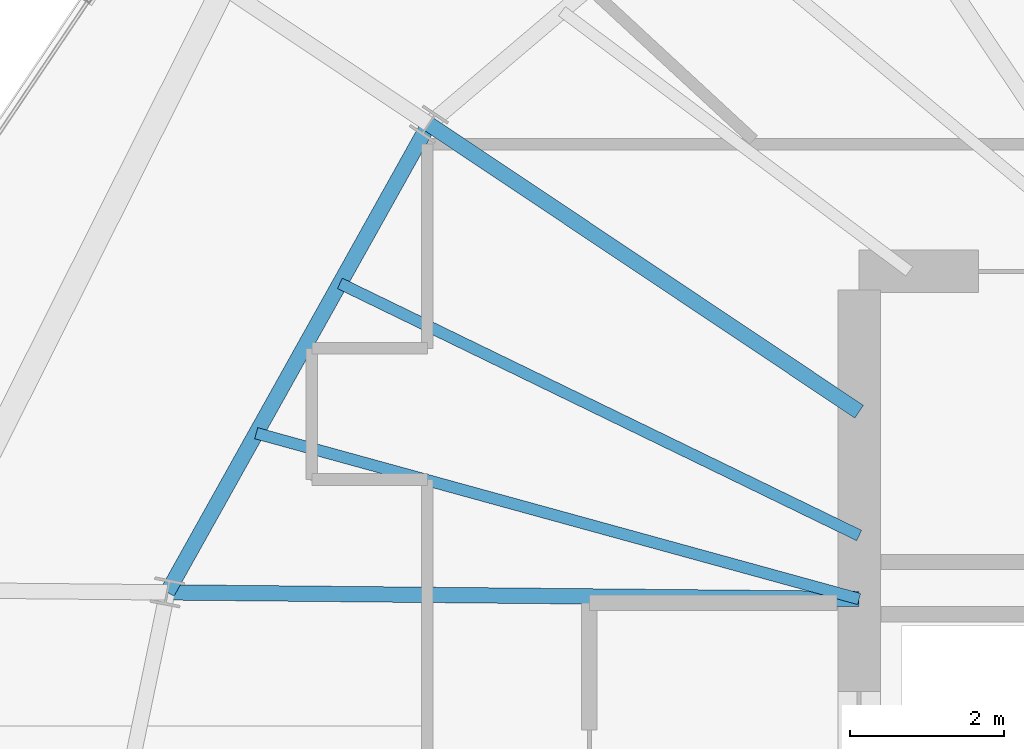
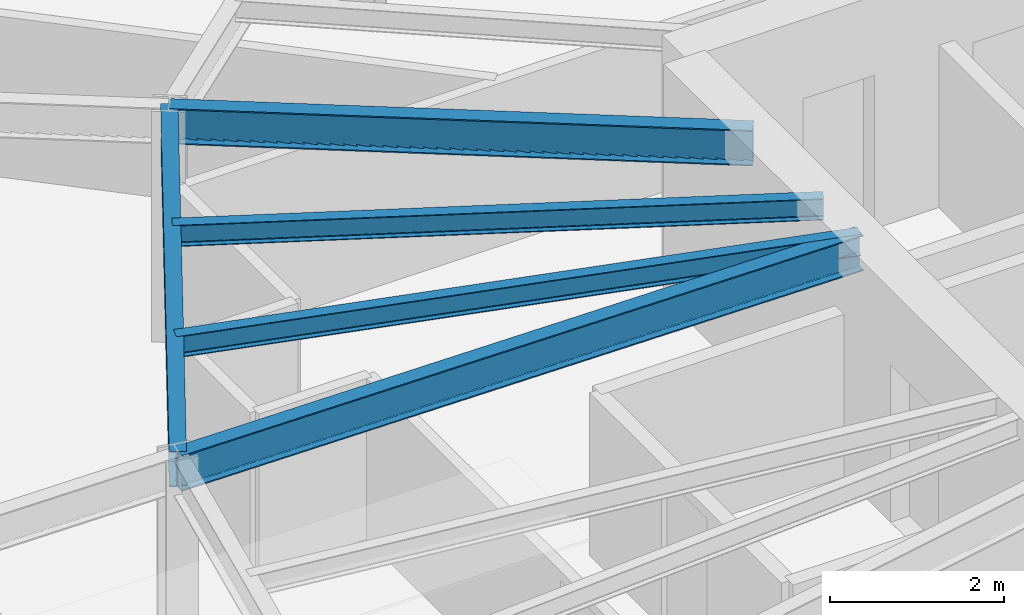
# One storey, part 12 of 36: 5 beams.
"""IFC4 building model written with IfcOpenShell, lengths in metres."""

import ifcopenshell
import ifcopenshell.guid

model = None  # the IFC model being written
_history = None  # IfcOwnerHistory: only IFC2X3 demands one
_inside = {}  # id of a spatial element -> (the spatial element, [elements in it])
_under = {}  # id of a project, library or spatial element -> (it, [spatial elements below it])
_declared = {}  # id of a project -> (the project, [libraries it declares])
_typed = {}  # id of a type object -> (the type object, [elements of that type])
_made_of = {}  # id of a material, layer set ... -> (it, [elements and type objects made of it])


def new_model(schema):
    """Start an empty IFC model of exactly this schema.

    Asked for "IFC4X3", IfcOpenShell would pick the latest addendum, in which some entities
    have other attributes; the version numbers below select the first issue.
    IFC2X3 requires an IfcOwnerHistory on every rooted entity: one is made here for all.
    """
    global model, _history
    if schema == "IFC4X3":
        model = ifcopenshell.file(schema_version=(4, 3, 0, 0))
    else:
        model = ifcopenshell.file(schema=schema)
    _inside.clear()
    _under.clear()
    _declared.clear()
    _typed.clear()
    _made_of.clear()
    _history = None
    if model.schema == "IFC2X3":
        org = make("IfcOrganization", Name="unknown")
        user = make(
            "IfcPersonAndOrganization",
            ThePerson=make("IfcPerson", FamilyName="unknown"),
            TheOrganization=org,
        )
        app = make(
            "IfcApplication",
            ApplicationDeveloper=org,
            Version="unknown",
            ApplicationFullName="unknown",
            ApplicationIdentifier="unknown",
        )
        _history = make(
            "IfcOwnerHistory",
            OwningUser=user,
            OwningApplication=app,
            ChangeAction="ADDED",
            CreationDate=0,
        )
    return model


def make(cls, **values):
    """One entity of the class cls with the attributes given. An attribute that is None is left unset."""
    return model.create_entity(
        cls, **{name: value for name, value in values.items() if value is not None}
    )


def rooted(cls, **values):
    """An entity with a GlobalId (a new one), such as an element, a storey or a relation."""
    return make(cls, GlobalId=ifcopenshell.guid.new(), OwnerHistory=_history, **values)


def si_unit(unit_type, name, prefix=None):
    """IfcSIUnit, for example si_unit("LENGTHUNIT", "METRE", prefix="MILLI")."""
    return make("IfcSIUnit", UnitType=unit_type, Prefix=prefix, Name=name)


def assignment(units):
    """IfcUnitAssignment: the units of a project."""
    return None if units is None else make("IfcUnitAssignment", Units=units)


def point(xyz):
    """IfcCartesianPoint."""
    return None if xyz is None else make("IfcCartesianPoint", Coordinates=xyz)


def direction(xyz):
    """IfcDirection."""
    return None if xyz is None else make("IfcDirection", DirectionRatios=xyz)


def frame(location, z_axis=None, x_axis=None):
    """IfcAxis2Placement3D, a coordinate frame: its origin and axes. An axis left out is left unset."""
    return make(
        "IfcAxis2Placement3D",
        Location=point(location),
        Axis=direction(z_axis),
        RefDirection=direction(x_axis),
    )


def frame_2d(location, x_axis=None):
    """IfcAxis2Placement2D, a coordinate frame in the plane: its origin and x axis."""
    return make(
        "IfcAxis2Placement2D", Location=point(location), RefDirection=direction(x_axis)
    )


def origin():
    """The frame at (0, 0, 0) with its axes left unset."""
    return frame((0.0, 0.0, 0.0))


def origin_2d():
    """The frame at (0, 0) in the plane with its x axis left unset."""
    return frame_2d((0.0, 0.0))


def place(relative_to, where):
    """IfcLocalPlacement: puts the frame where relative to a parent placement (None: the world)."""
    return make(
        "IfcLocalPlacement", PlacementRelTo=relative_to, RelativePlacement=where
    )


def context(
    kind, dimensions, precision=None, world=None, true_north=None, identifier=None
):
    """IfcGeometricRepresentationContext, for example the 3D "Model" context."""
    return make(
        "IfcGeometricRepresentationContext",
        ContextIdentifier=identifier,
        ContextType=kind,
        CoordinateSpaceDimension=dimensions,
        Precision=precision,
        WorldCoordinateSystem=world,
        TrueNorth=true_north,
    )


def subcontext(parent, identifier, kind, view, scale=None):
    """IfcGeometricRepresentationSubContext, for example "Body" below "Model"."""
    return make(
        "IfcGeometricRepresentationSubContext",
        ContextIdentifier=identifier,
        ContextType=kind,
        ParentContext=parent,
        TargetScale=scale,
        TargetView=view,
    )


def project(units=None, contexts=None):
    """IfcProject with its units and contexts."""
    return rooted(
        "IfcProject",
        Name="project",
        RepresentationContexts=contexts,
        UnitsInContext=assignment(units),
    )


def spatial(cls, under=None, at=None, **own):
    """A site, building, storey or space (cls), placed at a placement, below another one or the project."""
    s = rooted(cls, ObjectPlacement=at, **own)
    if under is not None:
        _under.setdefault(under.id(), (under, []))[1].append(s)
    return s


def profile(cls, at=None, kind="AREA", **sizes):
    """A parametric profile (cls). Its sizes go by their IFC names, for example OverallWidth=200.0."""
    return make(cls, ProfileType=kind, Position=at, **sizes)


def i_section(**sizes):
    """IfcIShapeProfileDef."""
    return profile("IfcIShapeProfileDef", **sizes)


def extrude(swept, where, along, depth):
    """IfcExtrudedAreaSolid: the profile swept, set in the frame where, extruded along a direction by depth."""
    return make(
        "IfcExtrudedAreaSolid",
        SweptArea=swept,
        Position=where,
        ExtrudedDirection=direction(along),
        Depth=depth,
    )


def shape(context_of_items, identifier, shape_type, items):
    """IfcShapeRepresentation: the items that make up one representation, for example the "Body"."""
    return make(
        "IfcShapeRepresentation",
        ContextOfItems=context_of_items,
        RepresentationIdentifier=identifier,
        RepresentationType=shape_type,
        Items=items,
    )


def source(mapping_origin, context_of_items, identifier, shape_type, items):
    """IfcRepresentationMap: a shape defined once, which mapped items show again and again."""
    return make(
        "IfcRepresentationMap",
        MappingOrigin=mapping_origin,
        MappedRepresentation=shape(context_of_items, identifier, shape_type, items),
    )


def transform(
    local_origin,
    x_axis=None,
    y_axis=None,
    z_axis=None,
    scale=None,
    scale2=None,
    scale3=None,
    uniform=True,
):
    """IfcCartesianTransformationOperator3D, or its non-uniform kind. x_axis, y_axis, z_axis: its Axis1, 2, 3."""
    if uniform:
        return make(
            "IfcCartesianTransformationOperator3D",
            Axis1=direction(x_axis),
            Axis2=direction(y_axis),
            LocalOrigin=point(local_origin),
            Scale=scale,
            Axis3=direction(z_axis),
        )
    return make(
        "IfcCartesianTransformationOperator3DnonUniform",
        Axis1=direction(x_axis),
        Axis2=direction(y_axis),
        LocalOrigin=point(local_origin),
        Scale=scale,
        Axis3=direction(z_axis),
        Scale2=scale2,
        Scale3=scale3,
    )


def mapped(mapping_source, mapping_target):
    """IfcMappedItem: shows the shape of a source again, moved by a transform."""
    return make(
        "IfcMappedItem", MappingSource=mapping_source, MappingTarget=mapping_target
    )


def material(Name=None, Category=None):
    """IfcMaterial."""
    return make("IfcMaterial", Name=Name, Category=Category)


def material_profile(
    of_material, cross_section, Name=None, Category=None, Priority=None
):
    """IfcMaterialProfile: a cross section and its material."""
    return make(
        "IfcMaterialProfile",
        Name=Name,
        Material=of_material,
        Profile=cross_section,
        Priority=Priority,
        Category=Category,
    )


def profile_set(profiles, Name=None, composite=None):
    """IfcMaterialProfileSet."""
    return make(
        "IfcMaterialProfileSet",
        Name=Name,
        MaterialProfiles=profiles,
        CompositeProfile=composite,
    )


def made_of(thing, what):
    """Note that an element or type object is made of a material, layer set ...; save() writes the relation."""
    if what is not None:
        _made_of.setdefault(what.id(), (what, []))[1].append(thing)
    return thing


def type_object(cls, material=None, **own):
    """A type object (cls), such as IfcWallType, which elements share."""
    return made_of(rooted(cls, **own), material)


def element(
    cls,
    number,
    at=None,
    inside=None,
    cuts=None,
    type_object=None,
    material=None,
    context=None,
    identifier="Body",
    shape_type=None,
    held_by="IfcProductDefinitionShape",
    body=None,
    shapes=None,
    **own,
):
    """One element of the class cls, such as IfcWall. Its Tag is "e" and its number.

    at: its placement. inside: the storey or other place that contains it. cuts: it is an
    opening in that element (IfcRelVoidsElement). A single representation is given by context,
    identifier, shape_type and body (its items); several are given by shapes. held_by: the class
    of the entity that holds the representations. save() writes the other relations.
    """
    e = rooted(cls, Tag="e%d" % number, ObjectPlacement=at, **own)
    if body is not None:
        shapes = [shape(context, identifier, shape_type, body)]
    if shapes is not None:
        e.Representation = make(held_by, Representations=shapes)
    if inside is not None:
        _inside.setdefault(inside.id(), (inside, []))[1].append(e)
    if cuts is not None:
        rooted(
            "IfcRelVoidsElement", RelatingBuildingElement=cuts, RelatedOpeningElement=e
        )
    if type_object is not None:
        _typed.setdefault(type_object.id(), (type_object, []))[1].append(e)
    return made_of(e, material)


def aggregate(whole, parts):
    """IfcRelAggregates: a whole, such as a stair, and the parts it consists of."""
    return rooted("IfcRelAggregates", RelatingObject=whole, RelatedObjects=parts)


def save(model, path):
    """Write the relations noted so far, then the file.

    IfcRelAggregates (storeys below a building ...), IfcRelContainedInSpatialStructure (elements
    in a storey), IfcRelDefinesByType, IfcRelAssociatesMaterial and IfcRelDeclares: one each for
    every whole, place, type object, material and project.
    """
    for whole, parts in _under.values():
        aggregate(whole, parts)
    for where, things in _inside.values():
        rooted(
            "IfcRelContainedInSpatialStructure",
            RelatedElements=things,
            RelatingStructure=where,
        )
    for kind, things in _typed.values():
        rooted("IfcRelDefinesByType", RelatedObjects=things, RelatingType=kind)
    for what, things in _made_of.values():
        rooted("IfcRelAssociatesMaterial", RelatedObjects=things, RelatingMaterial=what)
    for by, libraries in _declared.values():
        rooted("IfcRelDeclares", RelatingContext=by, RelatedDefinitions=libraries)
    model.write(path)


model = new_model("IFC4")

# Units and contexts
model_context = context("Model", 3, precision=1e-05, world=origin(), true_north=direction((0.0, 1.0)))
body_context = subcontext(model_context, "Body", "Model", "MODEL_VIEW")
ifc_project = project(units=[si_unit("LENGTHUNIT", "METRE"), si_unit("AREAUNIT", "SQUARE_METRE"), si_unit("VOLUMEUNIT", "CUBIC_METRE"), si_unit("PLANEANGLEUNIT", "RADIAN"), si_unit("MASSUNIT", "GRAM", prefix="KILO"), si_unit("THERMODYNAMICTEMPERATUREUNIT", "KELVIN")], contexts=[model_context])

# Site, building, storey
site_placement = place(None, origin())
site = spatial("IfcSite", under=ifc_project, at=site_placement, CompositionType="ELEMENT")
building_placement = place(site_placement, origin())
building = spatial("IfcBuilding", under=site, at=building_placement, Name="Kethvar Cultural Tower", CompositionType="ELEMENT")
storey_placement = place(building_placement, frame((0.0, 0.0, 176.39990234375)))
storey = spatial("IfcBuildingStorey", under=building, at=storey_placement, Name="L45", CompositionType="ELEMENT", Elevation=176.39990234375)

# Beams
ifc_material = material(Name="Steel S355J2", Category="steel")
ifc_material_profile_1 = material_profile(ifc_material, i_section(OverallWidth=0.199951171875, OverallDepth=0.5, WebThickness=0.01025390625, FlangeThickness=0.01611328125, FilletRadius=0.02099609375, at=origin_2d()), Name="Steel S355J2 — IPE500")
ifc_profile_set_1 = profile_set([ifc_material_profile_1], Name="Steel S355J2 — IPE500")
beam_type_1 = type_object("IfcBeamType", Name="BM-IPE500", PredefinedType="BEAM", material=ifc_profile_set_1)
shared_shape_1 = source(origin(), body_context, "Body", "SweptSolid", [
    extrude(i_section(OverallWidth=0.199951171875, OverallDepth=0.5, WebThickness=0.01025390625, FlangeThickness=0.01611328125, FilletRadius=0.02099609375, at=origin_2d()), origin(), (0.0, 0.0, 1.0), 6.713134765625),
])
beam_1_placement = place(storey_placement, frame((38.0, 33.679931640625, 3.008056640625), z_axis=(-0.831479157792, 0.55555594692, 0.0), x_axis=(-0.55555594692, -0.831479157792, 0.0)))
element("IfcBeam", 1, at=beam_1_placement, inside=storey, type_object=beam_type_1, Name="L45 Primary Radial Beam RB-07", PredefinedType="BEAM", context=body_context, shape_type="MappedRepresentation", body=[
    mapped(shared_shape_1, transform((0.0, 0.0, 0.0), scale=1.0)),
])
shared_shape_2 = source(origin(), body_context, "Body", "SweptSolid", [
    extrude(i_section(OverallWidth=0.199951171875, OverallDepth=0.5, WebThickness=0.01025390625, FlangeThickness=0.01611328125, FilletRadius=0.02099609375, at=origin_2d()), origin(), (0.0, 0.0, 1.0), 8.9755859375),
])
beam_2_placement = place(storey_placement, frame((38.0, 31.25, 3.008056640625), z_axis=(-0.999954421893, 0.00954746755, 0.0), x_axis=(-0.00954746755, -0.999954421893, 0.0)))
element("IfcBeam", 2, at=beam_2_placement, inside=storey, type_object=beam_type_1, Name="L45 Primary Radial Beam RB-08", PredefinedType="BEAM", context=body_context, shape_type="MappedRepresentation", body=[
    mapped(shared_shape_2, transform((0.0, 0.0, 0.0), scale=1.0)),
])
shared_shape_3 = source(origin(), body_context, "Body", "SweptSolid", [
    extrude(i_section(OverallWidth=0.199951171875, OverallDepth=0.5, WebThickness=0.01025390625, FlangeThickness=0.01611328125, FilletRadius=0.02099609375, at=origin_2d()), origin(), (0.0, 0.0, 1.0), 6.957275390625),
])
beam_3_placement = place(storey_placement, frame((32.418212890625, 37.409423828125, 3.008056640625), z_axis=(-0.487730122968, -0.872994459976, 0.0), x_axis=(0.872994459976, -0.487730122968, 0.0)))
element("IfcBeam", 3, at=beam_3_placement, inside=storey, type_object=beam_type_1, Name="L45 Column Ring Tie Beam CR-07", PredefinedType="BEAM", context=body_context, shape_type="MappedRepresentation", body=[
    mapped(shared_shape_3, transform((0.0, 0.0, 0.0), scale=1.0)),
])
ifc_material_profile_2 = material_profile(ifc_material, i_section(OverallWidth=0.14990234375, OverallDepth=0.300048828125, WebThickness=0.007080078125, FlangeThickness=0.0107421875, FilletRadius=0.014892578125, at=origin_2d()), Name="Steel S355J2 — IPE300")
ifc_profile_set_2 = profile_set([ifc_material_profile_2], Name="Steel S355J2 — IPE300")
beam_type_2 = type_object("IfcBeamType", Name="BM-J300", PredefinedType="JOIST", material=ifc_profile_set_2)
shared_shape_4 = source(origin(), body_context, "Body", "SweptSolid", [
    extrude(i_section(OverallWidth=0.14990234375, OverallDepth=0.300048828125, WebThickness=0.007080078125, FlangeThickness=0.0107421875, FilletRadius=0.014892578125, at=origin_2d()), origin(), (0.0, 0.0, 1.0), 7.48779296875),
])
beam_4_placement = place(storey_placement, frame((38.0, 32.073486328125, 3.108154296875), z_axis=(-0.8995385432, 0.436841400623, 0.0), x_axis=(-0.436841400623, -0.8995385432, 0.0)))
element("IfcBeam", 4, at=beam_4_placement, inside=storey, type_object=beam_type_2, Name="L45 Composite Floor Joist J-07A", PredefinedType="JOIST", context=body_context, shape_type="MappedRepresentation", body=[
    mapped(shared_shape_4, transform((0.0, 0.0, 0.0), scale=1.0)),
])
shared_shape_5 = source(origin(), body_context, "Body", "SweptSolid", [
    extrude(i_section(OverallWidth=0.14990234375, OverallDepth=0.300048828125, WebThickness=0.007080078125, FlangeThickness=0.0107421875, FilletRadius=0.014892578125, at=origin_2d()), origin(), (0.0, 0.0, 1.0), 8.111572265625),
])
beam_5_placement = place(storey_placement, frame((38.0, 31.25, 3.108154296875), z_axis=(-0.96420462331, 0.265159281164, 0.0), x_axis=(-0.265159281164, -0.96420462331, 0.0)))
element("IfcBeam", 5, at=beam_5_placement, inside=storey, type_object=beam_type_2, Name="L45 Composite Floor Joist J-07B", PredefinedType="JOIST", context=body_context, shape_type="MappedRepresentation", body=[
    mapped(shared_shape_5, transform((0.0, 0.0, 0.0), scale=1.0)),
])

save(model, "model.ifc")
